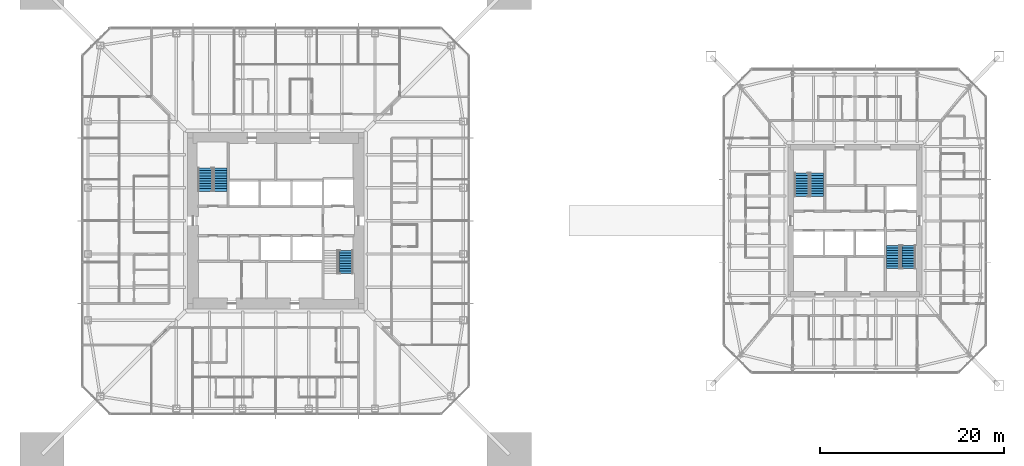
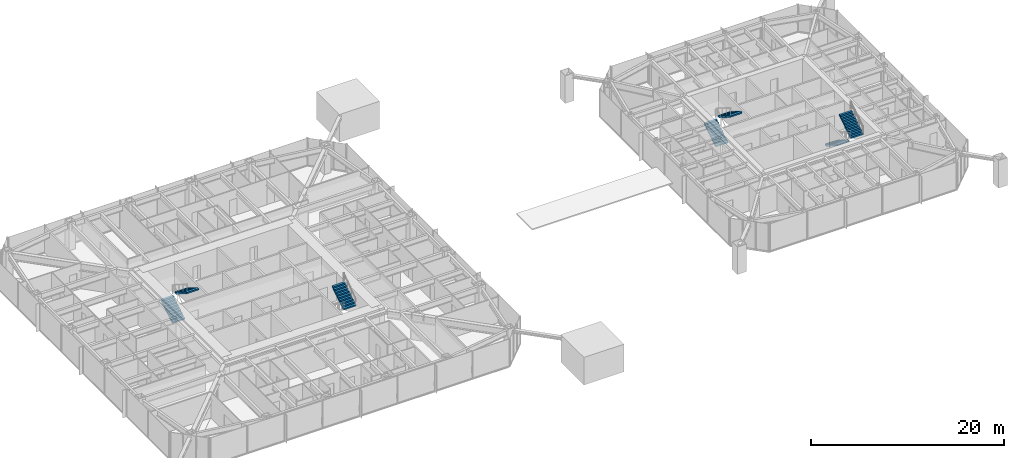
# One storey, part 20 of 25: 7 stair flights, 4 elements without a shape of their own.
"""IFC4 building model written with IfcOpenShell, lengths in metres."""

from ifc_helpers import new_model, si_unit, direction, frame, origin, place, context, subcontext, project, spatial, polyline, outline, extrude, material, constituent, constituent_set, type_object, element, aggregate, save


model = new_model("IFC4")

# Units and contexts
model_context = context("Model", 3, precision=1e-05, world=origin(), true_north=direction((0.0, 1.0)))
body_context = subcontext(model_context, "Body", "Model", "MODEL_VIEW")
ifc_project = project(units=[si_unit("LENGTHUNIT", "METRE"), si_unit("AREAUNIT", "SQUARE_METRE"), si_unit("VOLUMEUNIT", "CUBIC_METRE"), si_unit("PLANEANGLEUNIT", "RADIAN"), si_unit("MASSUNIT", "GRAM", prefix="KILO")], contexts=[model_context])

# Site, building, storey
site_placement = place(None, origin())
site = spatial("IfcSite", under=ifc_project, at=site_placement, CompositionType="ELEMENT")
building_placement = place(site_placement, origin())
building = spatial("IfcBuilding", under=site, at=building_placement, Name="Iwan Alto Co-Living Towers", CompositionType="ELEMENT")
storey_placement = place(building_placement, frame((0.0, 0.0, 101.5)))
storey = spatial("IfcBuildingStorey", under=building, at=storey_placement, Name="L27", CompositionType="ELEMENT", Elevation=101.5)

# Stair, stair flights
ifc_material_1 = material(Name="Steel ASTM A36", Category="steel")
ifc_constituent_1 = constituent(ifc_material_1, Name="Stringers", Category="LoadBearing")
ifc_material_2 = material(Name="Concrete f'c 30 MPa", Category="concrete")
ifc_constituent_2 = constituent(ifc_material_2, Name="Tread fill", Category="Finish")
ifc_constituent_set_1 = constituent_set(constituents=[ifc_constituent_1, ifc_constituent_2], Name="STAIR 3500 TWO-FLIGHT T1 CORE")
stair_type_1 = type_object("IfcStairType", Name="STAIR 3500 TWO-FLIGHT T1 CORE", PredefinedType="HALF_TURN_STAIR", material=ifc_constituent_set_1)
stair_1_placement = place(storey_placement, origin())
stair_1 = element("IfcStair", 1, at=stair_1_placement, inside=storey, type_object=stair_type_1, Name="Stair T1-S1 L27 to L28", PredefinedType="HALF_TURN_STAIR")
ifc_constituent_3 = constituent(ifc_material_1, Name="Stringers", Category="LoadBearing")
ifc_constituent_4 = constituent(ifc_material_2, Name="Tread fill", Category="Finish")
ifc_constituent_set_2 = constituent_set(constituents=[ifc_constituent_3, ifc_constituent_4], Name="STAIR FLIGHT 10 RISERS 280 GOING")
stair_flight_type = type_object("IfcStairFlightType", Name="STAIR FLIGHT 10 RISERS 280 GOING", PredefinedType="STRAIGHT", material=ifc_constituent_set_2)
stair_flight_1_placement = place(storey_placement, frame((-7.68994140625, 3.219970703125, 0.0), z_axis=(0.0, 0.0, 1.0), x_axis=(0.0, 1.0, 0.0)))
stair_flight_1 = element("IfcStairFlight", 2, at=stair_flight_1_placement, type_object=stair_flight_type, Name="T1-S1 flight 1", NumberOfRisers=10, NumberOfTreads=9, PredefinedType="STRAIGHT", RiserHeight=0.175, TreadLength=0.28, context=body_context, shape_type="SweptSolid", body=[
    extrude(outline(polyline([(0.0, 0.0), (0.0, 0.175048828125), (0.280029296875, 0.175048828125), (0.280029296875, 0.35009765625), (0.56005859375, 0.35009765625), (0.56005859375, 0.52490234375), (0.840087890625, 0.52490234375), (0.840087890625, 0.699951171875), (1.1201171875, 0.699951171875), (1.1201171875, 0.875), (1.39990234375, 0.875), (1.39990234375, 1.050048828125), (1.679931640625, 1.050048828125), (1.679931640625, 1.22509765625), (1.9599609375, 1.22509765625), (1.9599609375, 1.39990234375), (2.239990234375, 1.39990234375), (2.239990234375, 1.574951171875), (2.52001953125, 1.574951171875), (2.52001953125, 1.75), (2.52001953125, 1.398193359375), (0.28271484375, 0.0), (0.0, 0.0)])), frame((0.0, 0.739990234375, 0.0), z_axis=(0.0, -1.0, 0.0), x_axis=(1.0, 0.0, 0.0)), (0.0, 0.0, 1.0), 1.47998046875),
])
stair_flight_2_placement = place(storey_placement, frame((-6.010009765625, 5.739990234375, 1.75), z_axis=(0.0, 0.0, 1.0), x_axis=(0.0, -1.0, 0.0)))
stair_flight_2 = element("IfcStairFlight", 3, at=stair_flight_2_placement, type_object=stair_flight_type, Name="T1-S1 flight 2", NumberOfRisers=10, NumberOfTreads=9, PredefinedType="STRAIGHT", RiserHeight=0.175, TreadLength=0.28, context=body_context, shape_type="SweptSolid", body=[
    extrude(outline(polyline([(0.0, 0.0), (0.0, 0.175048828125), (0.280029296875, 0.175048828125), (0.280029296875, 0.35009765625), (0.56005859375, 0.35009765625), (0.56005859375, 0.52490234375), (0.840087890625, 0.52490234375), (0.840087890625, 0.699951171875), (1.1201171875, 0.699951171875), (1.1201171875, 0.875), (1.39990234375, 0.875), (1.39990234375, 1.050048828125), (1.679931640625, 1.050048828125), (1.679931640625, 1.22509765625), (1.9599609375, 1.22509765625), (1.9599609375, 1.39990234375), (2.239990234375, 1.39990234375), (2.239990234375, 1.574951171875), (2.52001953125, 1.574951171875), (2.52001953125, 1.75), (2.52001953125, 1.398193359375), (0.28271484375, 0.0), (0.0, 0.0)])), frame((0.0, 0.739990234375, 0.0), z_axis=(0.0, -1.0, 0.0), x_axis=(1.0, 0.0, 0.0)), (0.0, 0.0, 1.0), 1.47998046875),
])
aggregate(stair_1, [stair_flight_1, stair_flight_2])

# Stair, stair flight
stair_2_placement = place(storey_placement, origin())
stair_2 = element("IfcStair", 4, at=stair_2_placement, inside=storey, type_object=stair_type_1, Name="Stair T1-S2 L27 to L28", PredefinedType="HALF_TURN_STAIR")
stair_flight_3_placement = place(storey_placement, frame((7.68994140625, -5.739990234375, 1.75), z_axis=(0.0, 0.0, 1.0), x_axis=(0.0, 1.0, 0.0)))
stair_flight_3 = element("IfcStairFlight", 5, at=stair_flight_3_placement, type_object=stair_flight_type, Name="T1-S2 flight 2", NumberOfRisers=10, NumberOfTreads=9, PredefinedType="STRAIGHT", RiserHeight=0.175, TreadLength=0.28, context=body_context, shape_type="SweptSolid", body=[
    extrude(outline(polyline([(0.0, 0.0), (0.0, 0.175048828125), (0.280029296875, 0.175048828125), (0.280029296875, 0.35009765625), (0.56005859375, 0.35009765625), (0.56005859375, 0.52490234375), (0.840087890625, 0.52490234375), (0.840087890625, 0.699951171875), (1.1201171875, 0.699951171875), (1.1201171875, 0.875), (1.39990234375, 0.875), (1.39990234375, 1.050048828125), (1.679931640625, 1.050048828125), (1.679931640625, 1.22509765625), (1.9599609375, 1.22509765625), (1.9599609375, 1.39990234375), (2.239990234375, 1.39990234375), (2.239990234375, 1.574951171875), (2.52001953125, 1.574951171875), (2.52001953125, 1.75), (2.52001953125, 1.398193359375), (0.28271484375, 0.0), (0.0, 0.0)])), frame((0.0, 0.739990234375, 0.0), z_axis=(0.0, -1.0, 0.0), x_axis=(1.0, 0.0, 0.0)), (0.0, 0.0, 1.0), 1.47998046875),
])
aggregate(stair_2, [stair_flight_3])

# Stair, stair flights
ifc_constituent_5 = constituent(ifc_material_1, Name="Stringers", Category="LoadBearing")
ifc_constituent_6 = constituent(ifc_material_2, Name="Tread fill", Category="Finish")
ifc_constituent_set_3 = constituent_set(constituents=[ifc_constituent_5, ifc_constituent_6], Name="STAIR 3500 TWO-FLIGHT T2 CORE")
stair_type_2 = type_object("IfcStairType", Name="STAIR 3500 TWO-FLIGHT T2 CORE", PredefinedType="HALF_TURN_STAIR", material=ifc_constituent_set_3)
stair_3_placement = place(storey_placement, origin())
stair_3 = element("IfcStair", 6, at=stair_3_placement, inside=storey, type_object=stair_type_2, Name="Stair T2-S1 L27 to L28", PredefinedType="HALF_TURN_STAIR")
stair_flight_4_placement = place(storey_placement, frame((57.159912109375, 2.669921875, 0.0), z_axis=(0.0, 0.0, 1.0), x_axis=(0.0, 1.0, 0.0)))
stair_flight_4 = element("IfcStairFlight", 7, at=stair_flight_4_placement, type_object=stair_flight_type, Name="T2-S1 flight 1", NumberOfRisers=10, NumberOfTreads=9, PredefinedType="STRAIGHT", RiserHeight=0.175, TreadLength=0.28, context=body_context, shape_type="SweptSolid", body=[
    extrude(outline(polyline([(0.0, 0.0), (0.0, 0.175048828125), (0.280029296875, 0.175048828125), (0.280029296875, 0.35009765625), (0.56005859375, 0.35009765625), (0.56005859375, 0.52490234375), (0.840087890625, 0.52490234375), (0.840087890625, 0.699951171875), (1.1201171875, 0.699951171875), (1.1201171875, 0.875), (1.39990234375, 0.875), (1.39990234375, 1.050048828125), (1.679931640625, 1.050048828125), (1.679931640625, 1.22509765625), (1.9599609375, 1.22509765625), (1.9599609375, 1.39990234375), (2.239990234375, 1.39990234375), (2.239990234375, 1.574951171875), (2.52001953125, 1.574951171875), (2.52001953125, 1.75), (2.52001953125, 1.398193359375), (0.28271484375, 0.0), (0.0, 0.0)])), frame((0.0, 0.739990234375, 0.0), z_axis=(0.0, -1.0, 0.0), x_axis=(1.0, 0.0, 0.0)), (0.0, 0.0, 1.0), 1.47998046875),
])
stair_flight_5_placement = place(storey_placement, frame((58.840087890625, 5.18994140625, 1.75), z_axis=(0.0, 0.0, 1.0), x_axis=(0.0, -1.0, 0.0)))
stair_flight_5 = element("IfcStairFlight", 8, at=stair_flight_5_placement, type_object=stair_flight_type, Name="T2-S1 flight 2", NumberOfRisers=10, NumberOfTreads=9, PredefinedType="STRAIGHT", RiserHeight=0.175, TreadLength=0.28, context=body_context, shape_type="SweptSolid", body=[
    extrude(outline(polyline([(0.0, 0.0), (0.0, 0.175048828125), (0.280029296875, 0.175048828125), (0.280029296875, 0.35009765625), (0.56005859375, 0.35009765625), (0.56005859375, 0.52490234375), (0.840087890625, 0.52490234375), (0.840087890625, 0.699951171875), (1.1201171875, 0.699951171875), (1.1201171875, 0.875), (1.39990234375, 0.875), (1.39990234375, 1.050048828125), (1.679931640625, 1.050048828125), (1.679931640625, 1.22509765625), (1.9599609375, 1.22509765625), (1.9599609375, 1.39990234375), (2.239990234375, 1.39990234375), (2.239990234375, 1.574951171875), (2.52001953125, 1.574951171875), (2.52001953125, 1.75), (2.52001953125, 1.398193359375), (0.28271484375, 0.0), (0.0, 0.0)])), frame((0.0, 0.739990234375, 0.0), z_axis=(0.0, -1.0, 0.0), x_axis=(1.0, 0.0, 0.0)), (0.0, 0.0, 1.0), 1.47998046875),
])
aggregate(stair_3, [stair_flight_4, stair_flight_5])

stair_4_placement = place(storey_placement, origin())
stair_4 = element("IfcStair", 9, at=stair_4_placement, inside=storey, type_object=stair_type_2, Name="Stair T2-S2 L27 to L28", PredefinedType="HALF_TURN_STAIR")
stair_flight_6_placement = place(storey_placement, frame((67.159912109375, -2.669921875, 0.0), z_axis=(0.0, 0.0, 1.0), x_axis=(0.0, -1.0, 0.0)))
stair_flight_6 = element("IfcStairFlight", 10, at=stair_flight_6_placement, type_object=stair_flight_type, Name="T2-S2 flight 1", NumberOfRisers=10, NumberOfTreads=9, PredefinedType="STRAIGHT", RiserHeight=0.175, TreadLength=0.28, context=body_context, shape_type="SweptSolid", body=[
    extrude(outline(polyline([(0.0, 0.0), (0.0, 0.175048828125), (0.280029296875, 0.175048828125), (0.280029296875, 0.35009765625), (0.56005859375, 0.35009765625), (0.56005859375, 0.52490234375), (0.840087890625, 0.52490234375), (0.840087890625, 0.699951171875), (1.1201171875, 0.699951171875), (1.1201171875, 0.875), (1.39990234375, 0.875), (1.39990234375, 1.050048828125), (1.679931640625, 1.050048828125), (1.679931640625, 1.22509765625), (1.9599609375, 1.22509765625), (1.9599609375, 1.39990234375), (2.239990234375, 1.39990234375), (2.239990234375, 1.574951171875), (2.52001953125, 1.574951171875), (2.52001953125, 1.75), (2.52001953125, 1.398193359375), (0.28271484375, 0.0), (0.0, 0.0)])), frame((0.0, 0.739990234375, 0.0), z_axis=(0.0, -1.0, 0.0), x_axis=(1.0, 0.0, 0.0)), (0.0, 0.0, 1.0), 1.47998046875),
])
stair_flight_7_placement = place(storey_placement, frame((68.840087890625, -5.18994140625, 1.75), z_axis=(0.0, 0.0, 1.0), x_axis=(0.0, 1.0, 0.0)))
stair_flight_7 = element("IfcStairFlight", 11, at=stair_flight_7_placement, type_object=stair_flight_type, Name="T2-S2 flight 2", NumberOfRisers=10, NumberOfTreads=9, PredefinedType="STRAIGHT", RiserHeight=0.175, TreadLength=0.28, context=body_context, shape_type="SweptSolid", body=[
    extrude(outline(polyline([(0.0, 0.0), (0.0, 0.175048828125), (0.280029296875, 0.175048828125), (0.280029296875, 0.35009765625), (0.56005859375, 0.35009765625), (0.56005859375, 0.52490234375), (0.840087890625, 0.52490234375), (0.840087890625, 0.699951171875), (1.1201171875, 0.699951171875), (1.1201171875, 0.875), (1.39990234375, 0.875), (1.39990234375, 1.050048828125), (1.679931640625, 1.050048828125), (1.679931640625, 1.22509765625), (1.9599609375, 1.22509765625), (1.9599609375, 1.39990234375), (2.239990234375, 1.39990234375), (2.239990234375, 1.574951171875), (2.52001953125, 1.574951171875), (2.52001953125, 1.75), (2.52001953125, 1.398193359375), (0.28271484375, 0.0), (0.0, 0.0)])), frame((0.0, 0.739990234375, 0.0), z_axis=(0.0, -1.0, 0.0), x_axis=(1.0, 0.0, 0.0)), (0.0, 0.0, 1.0), 1.47998046875),
])
aggregate(stair_4, [stair_flight_6, stair_flight_7])

save(model, "model.ifc")
